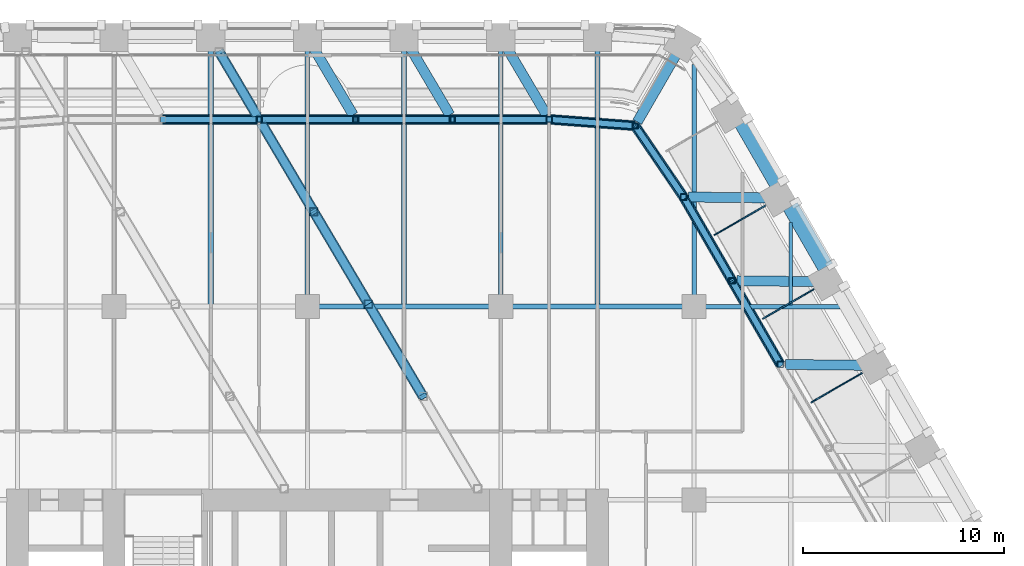
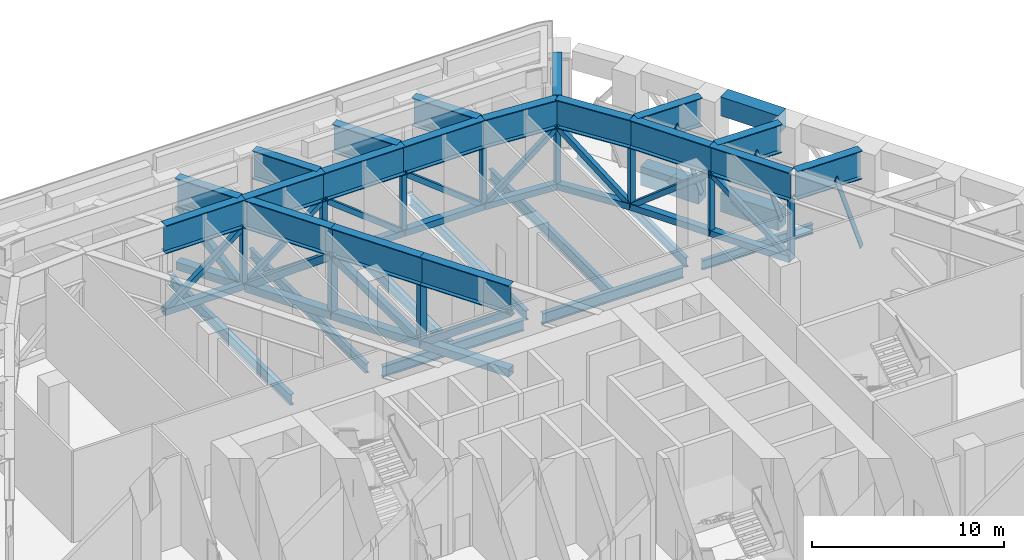
# One storey, part 10 of 35: 37 members, 32 beams, 1 element without a shape of its own.
"""IFC4 building model written with IfcOpenShell, lengths in metres."""

from ifc_helpers import new_model, si_unit, direction, frame, origin, origin_2d, place, context, subcontext, project, spatial, rectangle, hollow_rectangle, i_section, extrude, material, material_profile, profile_set, type_object, element, aggregate, save


model = new_model("IFC4")

# Units and contexts
model_context = context("Model", 3, precision=1e-05, world=origin(), true_north=direction((0.0, 1.0)))
body_context = subcontext(model_context, "Body", "Model", "MODEL_VIEW")
ifc_project = project(units=[si_unit("LENGTHUNIT", "METRE"), si_unit("AREAUNIT", "SQUARE_METRE"), si_unit("VOLUMEUNIT", "CUBIC_METRE"), si_unit("PLANEANGLEUNIT", "RADIAN"), si_unit("MASSUNIT", "GRAM", prefix="KILO")], contexts=[model_context])

# Site, building, storey
site_placement = place(None, origin())
site = spatial("IfcSite", under=ifc_project, at=site_placement, CompositionType="ELEMENT")
building_placement = place(site_placement, origin())
building = spatial("IfcBuilding", under=site, at=building_placement, Name="Kolab Exchange Tower", CompositionType="ELEMENT")
storey_placement = place(building_placement, frame((0.0, 0.0, 71.89990234375)))
storey = spatial("IfcBuildingStorey", under=building, at=storey_placement, Name="L13", CompositionType="ELEMENT", Elevation=71.89990234375)

# Members
ifc_material_1 = material(Name="Steel S355", Category="steel")
ifc_material_profile_1 = material_profile(ifc_material_1, hollow_rectangle(XDim=0.300048828125, YDim=0.300048828125, WallThickness=0.01611328125, at=origin_2d()), Name="HSS300X300X16")
ifc_profile_set_1 = profile_set([ifc_material_profile_1], Name="Steel S355")
member_type_1 = type_object("IfcMemberType", Name="BELT TRUSS BRACE HSS300X300X16", PredefinedType="BRACE", material=ifc_profile_set_1)
member_1_placement = place(storey_placement, frame((-7.199951171875, 28.49853515625, 0.25), z_axis=(0.788027411976, 0.0, 0.615640152991), x_axis=(0.0, 1.0, 0.0)))
element("IfcMember", 1, at=member_1_placement, inside=storey, type_object=member_type_1, Name="mem/L13/ring/d-F1-03", PredefinedType="BRACE", context=body_context, shape_type="SweptSolid", body=[
    extrude(hollow_rectangle(XDim=0.300048828125, YDim=0.300048828125, WallThickness=0.01611328125, at=origin_2d()), origin(), (0.0, 0.0, 1.0), 6.09130859375),
])
member_2_placement = place(storey_placement, frame((-2.39990234375, 28.49853515625, 0.25), z_axis=(0.788012220143, 0.0, 0.61565959824), x_axis=(0.0, 1.0, 0.0)))
element("IfcMember", 2, at=member_2_placement, inside=storey, type_object=member_type_1, Name="mem/L13/ring/d-F1-04", PredefinedType="BRACE", context=body_context, shape_type="SweptSolid", body=[
    extrude(hollow_rectangle(XDim=0.300048828125, YDim=0.300048828125, WallThickness=0.01611328125, at=origin_2d()), origin(), (0.0, 0.0, 1.0), 6.091064453125),
])
for number, where, z_axis, x_axis, name in (
    (3, (2.39990234375, 28.49853515625, 4.0), (0.788027411976, 0.0, -0.615640152991), (0.0, 1.0, 0.0), "mem/L13/ring/d-F1-05"),
    (4, (7.199951171875, 28.49853515625, 4.0), (0.788027411976, 0.0, -0.615640152991), (0.0, 1.0, 0.0), "mem/L13/ring/d-F1-06"),
):
    element("IfcMember", number, at=place(storey_placement, frame(where, z_axis=z_axis, x_axis=x_axis)), inside=storey, type_object=member_type_1, Name=name, PredefinedType="BRACE", context=body_context, shape_type="SweptSolid", body=[
        extrude(hollow_rectangle(XDim=0.300048828125, YDim=0.300048828125, WallThickness=0.01611328125, at=origin_2d()), origin(), (0.0, 0.0, 1.0), 6.09130859375),
    ])
for number, where, z_axis, x_axis, name in (
    (5, (12.0, 28.49853515625, 0.25), (0.750009259501, -0.056504902166, 0.659009337334), (0.075126035074, 0.99717404642, 0.0), "mem/L13/ring/d-F1-07"),
    (6, (16.267822265625, 28.177001953125, 4.0), (0.423966788791, -0.621277379932, -0.658989058473), (0.825999194724, 0.563671296338, 0.0), "mem/L13/ring/d-F2-01"),
):
    element("IfcMember", number, at=place(storey_placement, frame(where, z_axis=z_axis, x_axis=x_axis)), inside=storey, type_object=member_type_1, Name=name, PredefinedType="BRACE", context=body_context, shape_type="SweptSolid", body=[
        extrude(hollow_rectangle(XDim=0.300048828125, YDim=0.300048828125, WallThickness=0.01611328125, at=origin_2d()), origin(), (0.0, 0.0, 1.0), 5.6904296875),
    ])
member_3_placement = place(storey_placement, frame((18.680419921875, 24.6416015625, 0.25), z_axis=(0.393995973328, -0.682458742407, 0.615643758934), x_axis=(0.866037363387, 0.499979284789, 0.0)))
element("IfcMember", 7, at=member_3_placement, inside=storey, type_object=member_type_1, Name="mem/L13/ring/d-F2-02", PredefinedType="BRACE", context=body_context, shape_type="SweptSolid", body=[
    extrude(hollow_rectangle(XDim=0.300048828125, YDim=0.300048828125, WallThickness=0.01611328125, at=origin_2d()), origin(), (0.0, 0.0, 1.0), 6.091064453125),
])
member_4_placement = place(storey_placement, frame((21.080322265625, 20.484619140625, 4.0), z_axis=(0.394029831617, -0.682447964901, -0.615634036582), x_axis=(0.866015339567, 0.500017431331, 0.0)))
element("IfcMember", 8, at=member_4_placement, inside=storey, type_object=member_type_1, Name="mem/L13/ring/d-F2-03", PredefinedType="BRACE", context=body_context, shape_type="SweptSolid", body=[
    extrude(hollow_rectangle(XDim=0.300048828125, YDim=0.300048828125, WallThickness=0.01611328125, at=origin_2d()), origin(), (0.0, 0.0, 1.0), 6.09130859375),
])
ifc_material_profile_2 = material_profile(ifc_material_1, hollow_rectangle(XDim=0.39990234375, YDim=0.39990234375, WallThickness=0.02001953125, at=origin_2d()), Name="HSS400X400X20")
ifc_profile_set_2 = profile_set([ifc_material_profile_2], Name="Steel S355")
member_type_2 = type_object("IfcMemberType", Name="BELT TRUSS CHORD HSS400X400X20", PredefinedType="CHORD", material=ifc_profile_set_2)
member_5_placement = place(storey_placement, frame((-7.199951171875, 28.49853515625, 0.25), z_axis=(1.0, 0.0, 0.0), x_axis=(0.0, 1.0, 0.0)))
element("IfcMember", 9, at=member_5_placement, inside=storey, type_object=member_type_2, Name="mem/L13/ring/c-F1-03", PredefinedType="CHORD", context=body_context, shape_type="SweptSolid", body=[
    extrude(hollow_rectangle(XDim=0.39990234375, YDim=0.39990234375, WallThickness=0.02001953125, at=origin_2d()), origin(), (0.0, 0.0, 1.0), 4.800048828125),
])
member_6_placement = place(storey_placement, frame((-2.39990234375, 28.49853515625, 0.25), z_axis=(1.0, 0.0, 0.0), x_axis=(0.0, 1.0, 0.0)))
element("IfcMember", 10, at=member_6_placement, inside=storey, type_object=member_type_2, Name="mem/L13/ring/c-F1-04", PredefinedType="CHORD", context=body_context, shape_type="SweptSolid", body=[
    extrude(hollow_rectangle(XDim=0.39990234375, YDim=0.39990234375, WallThickness=0.02001953125, at=origin_2d()), origin(), (0.0, 0.0, 1.0), 4.7998046875),
])
for number, where, z_axis, x_axis, name in (
    (11, (2.39990234375, 28.49853515625, 0.25), (1.0, 0.0, 0.0), (0.0, 1.0, 0.0), "mem/L13/ring/c-F1-05"),
    (12, (7.199951171875, 28.49853515625, 0.25), (1.0, 0.0, 0.0), (0.0, 1.0, 0.0), "mem/L13/ring/c-F1-06"),
):
    element("IfcMember", number, at=place(storey_placement, frame(where, z_axis=z_axis, x_axis=x_axis)), inside=storey, type_object=member_type_2, Name=name, PredefinedType="CHORD", context=body_context, shape_type="SweptSolid", body=[
        extrude(hollow_rectangle(XDim=0.39990234375, YDim=0.39990234375, WallThickness=0.02001953125, at=origin_2d()), origin(), (0.0, 0.0, 1.0), 4.800048828125),
    ])
for number, where, z_axis, x_axis, name in (
    (13, (12.0, 28.49853515625, 0.25), (0.99717404642, -0.075126035074, 0.0), (0.075126035074, 0.99717404642, 0.0), "mem/L13/ring/c-F1-07"),
    (14, (16.267822265625, 28.177001953125, 0.25), (0.563671296338, -0.825999194724, 0.0), (0.825999194724, 0.563671296338, 0.0), "mem/L13/ring/c-F2-01"),
):
    element("IfcMember", number, at=place(storey_placement, frame(where, z_axis=z_axis, x_axis=x_axis)), inside=storey, type_object=member_type_2, Name=name, PredefinedType="CHORD", context=body_context, shape_type="SweptSolid", body=[
        extrude(hollow_rectangle(XDim=0.39990234375, YDim=0.39990234375, WallThickness=0.02001953125, at=origin_2d()), origin(), (0.0, 0.0, 1.0), 4.280029296875),
    ])
for number, where, z_axis, x_axis, name in (
    (15, (18.680419921875, 24.6416015625, 0.25), (0.499979284789, -0.866037363387, 0.0), (0.866037363387, 0.499979284789, 0.0), "mem/L13/ring/c-F2-02"),
    (16, (21.080322265625, 20.484619140625, 0.25), (0.500017431331, -0.866015339567, 0.0), (0.866015339567, 0.500017431331, 0.0), "mem/L13/ring/c-F2-03"),
):
    element("IfcMember", number, at=place(storey_placement, frame(where, z_axis=z_axis, x_axis=x_axis)), inside=storey, type_object=member_type_2, Name=name, PredefinedType="CHORD", context=body_context, shape_type="SweptSolid", body=[
        extrude(hollow_rectangle(XDim=0.39990234375, YDim=0.39990234375, WallThickness=0.02001953125, at=origin_2d()), origin(), (0.0, 0.0, 1.0), 4.800048828125),
    ])

# Beams
ifc_material_profile_3 = material_profile(ifc_material_1, i_section(OverallWidth=0.5, OverallDepth=1.800048828125, WebThickness=0.031982421875, FlangeThickness=0.050048828125, at=origin_2d()), Name="PG1800X500")
ifc_profile_set_3 = profile_set([ifc_material_profile_3], Name="Steel S355")
beam_type_1 = type_object("IfcBeamType", Name="BELT TRUSS GIRDER PG1800X500", PredefinedType="BEAM", material=ifc_profile_set_3)
beam_1_placement = place(storey_placement, frame((-7.199951171875, 28.49853515625, 4.900146484375), z_axis=(1.0, 0.0, 0.0), x_axis=(0.0, 1.0, 0.0)))
element("IfcBeam", 17, at=beam_1_placement, inside=storey, type_object=beam_type_1, Name="beam/L13/bg/F1-run1", PredefinedType="BEAM", context=body_context, shape_type="SweptSolid", body=[
    extrude(i_section(OverallWidth=0.5, OverallDepth=1.800048828125, WebThickness=0.031982421875, FlangeThickness=0.050048828125, at=origin_2d()), origin(), (0.0, 0.0, 1.0), 4.800048828125),
])
beam_2_placement = place(storey_placement, frame((-2.39990234375, 28.49853515625, 4.900146484375), z_axis=(1.0, 0.0, 0.0), x_axis=(0.0, 1.0, 0.0)))
element("IfcBeam", 18, at=beam_2_placement, inside=storey, type_object=beam_type_1, Name="beam/L13/bg/F1-run2", PredefinedType="BEAM", context=body_context, shape_type="SweptSolid", body=[
    extrude(i_section(OverallWidth=0.5, OverallDepth=1.800048828125, WebThickness=0.031982421875, FlangeThickness=0.050048828125, at=origin_2d()), origin(), (0.0, 0.0, 1.0), 4.7998046875),
])
for number, where, z_axis, x_axis, name in (
    (19, (2.39990234375, 28.49853515625, 4.900146484375), (1.0, 0.0, 0.0), (0.0, 1.0, 0.0), "beam/L13/bg/F1-run3"),
    (20, (7.199951171875, 28.49853515625, 4.900146484375), (1.0, 0.0, 0.0), (0.0, 1.0, 0.0), "beam/L13/bg/F1-run4"),
):
    element("IfcBeam", number, at=place(storey_placement, frame(where, z_axis=z_axis, x_axis=x_axis)), inside=storey, type_object=beam_type_1, Name=name, PredefinedType="BEAM", context=body_context, shape_type="SweptSolid", body=[
        extrude(i_section(OverallWidth=0.5, OverallDepth=1.800048828125, WebThickness=0.031982421875, FlangeThickness=0.050048828125, at=origin_2d()), origin(), (0.0, 0.0, 1.0), 4.800048828125),
    ])
for number, where, z_axis, x_axis, name in (
    (21, (12.0, 28.49853515625, 4.900146484375), (0.99717404642, -0.075126035074, 0.0), (0.075126035074, 0.99717404642, 0.0), "beam/L13/bg/F1-out"),
    (22, (16.267822265625, 28.177001953125, 4.900146484375), (0.563671296338, -0.825999194724, 0.0), (0.825999194724, 0.563671296338, 0.0), "beam/L13/bg/F2-in"),
):
    element("IfcBeam", number, at=place(storey_placement, frame(where, z_axis=z_axis, x_axis=x_axis)), inside=storey, type_object=beam_type_1, Name=name, PredefinedType="BEAM", context=body_context, shape_type="SweptSolid", body=[
        extrude(i_section(OverallWidth=0.5, OverallDepth=1.800048828125, WebThickness=0.031982421875, FlangeThickness=0.050048828125, at=origin_2d()), origin(), (0.0, 0.0, 1.0), 4.280029296875),
    ])
for number, where, z_axis, x_axis, name in (
    (23, (18.680419921875, 24.6416015625, 4.900146484375), (0.499979284789, -0.866037363387, 0.0), (0.866037363387, 0.499979284789, 0.0), "beam/L13/bg/F2-run0"),
    (24, (21.080322265625, 20.484619140625, 4.900146484375), (0.500017431331, -0.866015339567, 0.0), (0.866015339567, 0.500017431331, 0.0), "beam/L13/bg/F2-run1"),
):
    element("IfcBeam", number, at=place(storey_placement, frame(where, z_axis=z_axis, x_axis=x_axis)), inside=storey, type_object=beam_type_1, Name=name, PredefinedType="BEAM", context=body_context, shape_type="SweptSolid", body=[
        extrude(i_section(OverallWidth=0.5, OverallDepth=1.800048828125, WebThickness=0.031982421875, FlangeThickness=0.050048828125, at=origin_2d()), origin(), (0.0, 0.0, 1.0), 4.800048828125),
    ])

# Members
ifc_material_profile_4 = material_profile(ifc_material_1, hollow_rectangle(XDim=0.300048828125, YDim=0.300048828125, WallThickness=0.01611328125, at=origin_2d()), Name="HSS300X300X16")
ifc_profile_set_4 = profile_set([ifc_material_profile_4], Name="Steel S355")
member_type_3 = type_object("IfcMemberType", Name="BELT TRUSS POST HSS300X300X16", PredefinedType="POST", material=ifc_profile_set_4)
for number, where, z_axis, x_axis, name in (
    (25, (-2.39990234375, 28.49853515625, 0.25), (0.0, 0.0, 1.0), (1.0, 0.0, 0.0), "mem/L13/ring/p-F1-04"),
    (26, (2.39990234375, 28.49853515625, 0.25), (0.0, 0.0, 1.0), (1.0, 0.0, 0.0), "mem/L13/ring/p-F1-05"),
    (27, (7.199951171875, 28.49853515625, 0.25), (0.0, 0.0, 1.0), (1.0, 0.0, 0.0), "mem/L13/ring/p-F1-06"),
    (28, (12.0, 28.49853515625, 0.25), (0.0, 0.0, 1.0), (1.0, 0.0, 0.0), "mem/L13/ring/p-F1-07"),
    (29, (16.267822265625, 28.177001953125, 0.25), (0.0, 0.0, 1.0), (1.0, 0.0, 0.0), "mem/L13/ring/p-F2-01"),
    (30, (18.680419921875, 24.6416015625, 0.25), (0.0, 0.0, 1.0), (1.0, 0.0, 0.0), "mem/L13/ring/p-F2-02"),
    (31, (21.080322265625, 20.484619140625, 0.25), (0.0, 0.0, 1.0), (1.0, 0.0, 0.0), "mem/L13/ring/p-F2-03"),
    (32, (23.48046875, 16.32763671875, 0.25), (0.0, 0.0, 1.0), (1.0, 0.0, 0.0), "mem/L13/ring/p-F2-04"),
):
    element("IfcMember", number, at=place(storey_placement, frame(where, z_axis=z_axis, x_axis=x_axis)), inside=storey, type_object=member_type_3, Name=name, PredefinedType="POST", context=body_context, shape_type="SweptSolid", body=[
        extrude(hollow_rectangle(XDim=0.300048828125, YDim=0.300048828125, WallThickness=0.01611328125, at=origin_2d()), origin(), (0.0, 0.0, 1.0), 3.75),
    ])

# Curtain wall, members
ifc_material_2 = material(Name="Aluminium EN AW-6063 T6", Category="aluminium")
curtain_wall_type = type_object("IfcCurtainWallType", Name="CANTED BAND CURTAIN WALL", PredefinedType="NOTDEFINED", material=ifc_material_2)
curtain_wall_placement = place(storey_placement, origin())
curtain_wall = element("IfcCurtainWall", 33, at=curtain_wall_placement, inside=storey, type_object=curtain_wall_type, Name="band/L13/F2", PredefinedType="NOTDEFINED")
ifc_material_profile_5 = material_profile(ifc_material_2, rectangle(XDim=0.06005859375, YDim=0.300048828125, at=origin_2d()), Name="RECT 60X300")
ifc_profile_set_5 = profile_set([ifc_material_profile_5], Name="Aluminium EN AW-6063 T6")
member_type_4 = type_object("IfcMemberType", Name="CANTED BAND MULLION 60 X 300", PredefinedType="MULLION", material=ifc_profile_set_5)
member_7_placement = place(storey_placement, frame((22.631591796875, 24.151611328125, -0.099853515625), z_axis=(-0.355798391977, -0.2054599877, 0.911698249269), x_axis=(0.500072450434, -0.865983570466, 0.0)))
member_7 = element("IfcMember", 34, at=member_7_placement, type_object=member_type_4, Name="Band mullion", PredefinedType="MULLION", context=body_context, shape_type="SweptSolid", body=[
    extrude(rectangle(XDim=0.06005859375, YDim=0.300048828125, at=origin_2d()), origin(), (0.0, 0.0, 1.0), 6.51513671875),
])
member_8_placement = place(storey_placement, frame((25.03173828125, 19.99462890625, -0.099853515625), z_axis=(-0.355833859075, -0.205421357987, 0.911693111973), x_axis=(0.499964557259, -0.866045865693, 0.0)))
member_8 = element("IfcMember", 35, at=member_8_placement, type_object=member_type_4, Name="Band mullion", PredefinedType="MULLION", context=body_context, shape_type="SweptSolid", body=[
    extrude(rectangle(XDim=0.06005859375, YDim=0.300048828125, at=origin_2d()), origin(), (0.0, 0.0, 1.0), 6.515380859375),
])
member_9_placement = place(storey_placement, frame((27.431640625, 15.837646484375, -0.099853515625), z_axis=(-0.355833859075, -0.205421357987, 0.911693111973), x_axis=(0.499964557259, -0.866045865693, 0.0)))
member_9 = element("IfcMember", 36, at=member_9_placement, type_object=member_type_4, Name="Band mullion", PredefinedType="MULLION", context=body_context, shape_type="SweptSolid", body=[
    extrude(rectangle(XDim=0.06005859375, YDim=0.300048828125, at=origin_2d()), origin(), (0.0, 0.0, 1.0), 6.515380859375),
])
aggregate(curtain_wall, [member_7, member_8, member_9])

# Beams
ifc_material_profile_6 = material_profile(ifc_material_1, i_section(OverallWidth=0.1650390625, OverallDepth=0.31005859375, WebThickness=0.005859375, FlangeThickness=0.009765625, at=origin_2d()), Name="W310X39")
ifc_profile_set_6 = profile_set([ifc_material_profile_6], Name="Steel S355")
beam_type_2 = type_object("IfcBeamType", Name="FLOOR BEAM W310X39", PredefinedType="BEAM", material=ifc_profile_set_6)
beam_3_placement = place(storey_placement, frame((24.0, 19.27392578125, -0.454833984375), z_axis=(0.0, 1.0, 0.0), x_axis=(-1.0, 0.0, 0.0)))
element("IfcBeam", 37, at=beam_3_placement, inside=storey, type_object=beam_type_2, Name="beam/L13/fr/057", PredefinedType="BEAM", context=body_context, shape_type="SweptSolid", body=[
    extrude(i_section(OverallWidth=0.1650390625, OverallDepth=0.31005859375, WebThickness=0.005859375, FlangeThickness=0.009765625, at=origin_2d()), origin(), (0.0, 0.0, 1.0), 4.107666015625),
])
ifc_material_profile_7 = material_profile(ifc_material_1, i_section(OverallWidth=0.22802734375, OverallDepth=0.60791015625, WebThickness=0.01123046875, FlangeThickness=0.017333984375, at=origin_2d()), Name="W610X113")
ifc_profile_set_7 = profile_set([ifc_material_profile_7], Name="Steel S355")
beam_type_3 = type_object("IfcBeamType", Name="FLOOR BEAM W610X113", PredefinedType="BEAM", material=ifc_profile_set_7)
for number, where, z_axis, x_axis, name in (
    (38, (0.0, 19.760009765625, -0.60400390625), (0.0, 1.0, 0.0), (-1.0, 0.0, 0.0), "beam/L13/fr/033"),
    (39, (9.60009765625, 19.760009765625, -0.60400390625), (0.0, 1.0, 0.0), (-1.0, 0.0, 0.0), "beam/L13/fr/041"),
):
    element("IfcBeam", number, at=place(storey_placement, frame(where, z_axis=z_axis, x_axis=x_axis)), inside=storey, type_object=beam_type_3, Name=name, PredefinedType="BEAM", context=body_context, shape_type="SweptSolid", body=[
        extrude(i_section(OverallWidth=0.22802734375, OverallDepth=0.60791015625, WebThickness=0.01123046875, FlangeThickness=0.017333984375, at=origin_2d()), origin(), (0.0, 0.0, 1.0), 12.135498046875),
    ])
beam_4_placement = place(storey_placement, frame((19.199951171875, 19.760009765625, -0.60400390625), z_axis=(0.0, 1.0, 0.0), x_axis=(-1.0, 0.0, 0.0)))
element("IfcBeam", 40, at=beam_4_placement, inside=storey, type_object=beam_type_3, Name="beam/L13/fr/051", PredefinedType="BEAM", context=body_context, shape_type="SweptSolid", body=[
    extrude(i_section(OverallWidth=0.22802734375, OverallDepth=0.60791015625, WebThickness=0.01123046875, FlangeThickness=0.017333984375, at=origin_2d()), origin(), (0.0, 0.0, 1.0), 11.45458984375),
])
ifc_material_profile_8 = material_profile(ifc_material_1, i_section(OverallWidth=0.25390625, OverallDepth=0.68408203125, WebThickness=0.012451171875, FlangeThickness=0.018798828125, at=origin_2d()), Name="W690X140")
ifc_profile_set_8 = profile_set([ifc_material_profile_8], Name="Steel S355")
beam_type_4 = type_object("IfcBeamType", Name="FLOOR BEAM W690X140", PredefinedType="BEAM", material=ifc_profile_set_8)
for number, where, z_axis, x_axis, name in (
    (41, (-4.800048828125, 19.287109375, -0.641845703125), (0.0, 1.0, 0.0), (-1.0, 0.0, 0.0), "beam/L13/fr/029"),
    (42, (4.800048828125, 19.287109375, -0.641845703125), (0.0, 1.0, 0.0), (-1.0, 0.0, 0.0), "beam/L13/fr/037"),
    (43, (14.39990234375, 19.287109375, -0.641845703125), (0.0, 1.0, 0.0), (-1.0, 0.0, 0.0), "beam/L13/fr/045"),
):
    element("IfcBeam", number, at=place(storey_placement, frame(where, z_axis=z_axis, x_axis=x_axis)), inside=storey, type_object=beam_type_4, Name=name, PredefinedType="BEAM", context=body_context, shape_type="SweptSolid", body=[
        extrude(i_section(OverallWidth=0.25390625, OverallDepth=0.68408203125, WebThickness=0.012451171875, FlangeThickness=0.018798828125, at=origin_2d()), origin(), (0.0, 0.0, 1.0), 12.6083984375),
    ])
ifc_material_profile_9 = material_profile(ifc_material_1, i_section(OverallWidth=0.22802734375, OverallDepth=0.60791015625, WebThickness=0.01123046875, FlangeThickness=0.017333984375, at=origin_2d()), Name="W610X113")
ifc_profile_set_9 = profile_set([ifc_material_profile_9], Name="Steel S355")
beam_type_5 = type_object("IfcBeamType", Name="FLOOR GIRDER W610X113", PredefinedType="BEAM", material=ifc_profile_set_9)
beam_5_placement = place(storey_placement, frame((19.760009765625, 19.199951171875, -0.60400390625), z_axis=(1.0, 0.0, 0.0), x_axis=(0.0, 1.0, 0.0)))
element("IfcBeam", 44, at=beam_5_placement, inside=storey, type_object=beam_type_5, Name="beam/L13/gd/023", PredefinedType="BEAM", context=body_context, shape_type="SweptSolid", body=[
    extrude(i_section(OverallWidth=0.22802734375, OverallDepth=0.60791015625, WebThickness=0.01123046875, FlangeThickness=0.017333984375, at=origin_2d()), origin(), (0.0, 0.0, 1.0), 6.671142578125),
])
ifc_material_profile_10 = material_profile(ifc_material_1, i_section(OverallWidth=0.25390625, OverallDepth=0.68408203125, WebThickness=0.012451171875, FlangeThickness=0.018798828125, at=origin_2d()), Name="W690X140")
ifc_profile_set_10 = profile_set([ifc_material_profile_10], Name="Steel S355")
beam_type_6 = type_object("IfcBeamType", Name="FLOOR GIRDER W690X140", PredefinedType="BEAM", material=ifc_profile_set_10)
for number, where, z_axis, x_axis, name in (
    (45, (0.56005859375, 19.199951171875, -0.641845703125), (1.0, 0.0, 0.0), (0.0, 1.0, 0.0), "beam/L13/gd/014"),
    (46, (10.159912109375, 19.199951171875, -0.641845703125), (1.0, 0.0, 0.0), (0.0, 1.0, 0.0), "beam/L13/gd/016"),
):
    element("IfcBeam", number, at=place(storey_placement, frame(where, z_axis=z_axis, x_axis=x_axis)), inside=storey, type_object=beam_type_6, Name=name, PredefinedType="BEAM", context=body_context, shape_type="SweptSolid", body=[
        extrude(i_section(OverallWidth=0.25390625, OverallDepth=0.68408203125, WebThickness=0.012451171875, FlangeThickness=0.018798828125, at=origin_2d()), origin(), (0.0, 0.0, 1.0), 8.47998046875),
    ])

# Members
ifc_material_profile_11 = material_profile(ifc_material_1, hollow_rectangle(XDim=0.39990234375, YDim=0.39990234375, WallThickness=0.02001953125, at=origin_2d()), Name="HSS400X400X20")
ifc_profile_set_11 = profile_set([ifc_material_profile_11], Name="Steel S355")
member_type_5 = type_object("IfcMemberType", Name="OUTRIGGER BRACE HSS400X400X20", PredefinedType="BRACE", material=ifc_profile_set_11)
for number, where, z_axis, x_axis, name in (
    (47, (5.740966796875, 14.737060546875, 4.0), (-0.416406242938, 0.703900755606, -0.575438586732), (-0.860677465118, -0.50915056814, 0.0), "mem/L13/out/01/d01"),
    (48, (3.02734375, 19.32421875, 0.25), (-0.416406242938, 0.703900755606, 0.575438586732), (-0.860677465118, -0.50915056814, 0.0), "mem/L13/out/01/d02"),
):
    element("IfcMember", number, at=place(storey_placement, frame(where, z_axis=z_axis, x_axis=x_axis)), inside=storey, type_object=member_type_5, Name=name, PredefinedType="BRACE", context=body_context, shape_type="SweptSolid", body=[
        extrude(hollow_rectangle(XDim=0.39990234375, YDim=0.39990234375, WallThickness=0.02001953125, at=origin_2d()), origin(), (0.0, 0.0, 1.0), 6.516845703125),
    ])
member_10_placement = place(storey_placement, frame((0.313720703125, 23.911376953125, 4.0), z_axis=(-0.410789672737, 0.694318412958, -0.590909287624), x_axis=(-0.860649189626, -0.509198362523, 0.0)))
element("IfcMember", 49, at=member_10_placement, inside=storey, type_object=member_type_5, Name="mem/L13/out/01/d03", PredefinedType="BRACE", context=body_context, shape_type="SweptSolid", body=[
    extrude(hollow_rectangle(XDim=0.39990234375, YDim=0.39990234375, WallThickness=0.02001953125, at=origin_2d()), origin(), (0.0, 0.0, 1.0), 6.34619140625),
])
member_11_placement = place(storey_placement, frame((-2.5068359375, 28.67919921875, 0.25), z_axis=(-0.357157449723, 0.603692142509, 0.712737225898), x_axis=(-0.860657741654, -0.509183907572, 0.0)))
element("IfcMember", 50, at=member_11_placement, inside=storey, type_object=member_type_5, Name="mem/L13/out/01/d04", PredefinedType="BRACE", context=body_context, shape_type="SweptSolid", body=[
    extrude(hollow_rectangle(XDim=0.39990234375, YDim=0.39990234375, WallThickness=0.02001953125, at=origin_2d()), origin(), (0.0, 0.0, 1.0), 5.261474609375),
])
ifc_material_profile_12 = material_profile(ifc_material_1, hollow_rectangle(XDim=0.5, YDim=0.5, WallThickness=0.02490234375, at=origin_2d()), Name="HSS500X500X25")
ifc_profile_set_12 = profile_set([ifc_material_profile_12], Name="Steel S355")
member_type_6 = type_object("IfcMemberType", Name="OUTRIGGER CHORD HSS500X500X25", PredefinedType="CHORD", material=ifc_profile_set_12)
for number, where, z_axis, x_axis, name in (
    (51, (5.740966796875, 14.737060546875, 0.25), (-0.50915056814, 0.860677465118, 0.0), (-0.860677465118, -0.50915056814, 0.0), "mem/L13/out/01/c01"),
    (52, (3.02734375, 19.32421875, 0.25), (-0.50915056814, 0.860677465118, 0.0), (-0.860677465118, -0.50915056814, 0.0), "mem/L13/out/01/c02"),
):
    element("IfcMember", number, at=place(storey_placement, frame(where, z_axis=z_axis, x_axis=x_axis)), inside=storey, type_object=member_type_6, Name=name, PredefinedType="CHORD", context=body_context, shape_type="SweptSolid", body=[
        extrude(hollow_rectangle(XDim=0.5, YDim=0.5, WallThickness=0.02490234375, at=origin_2d()), origin(), (0.0, 0.0, 1.0), 5.32958984375),
    ])
member_12_placement = place(storey_placement, frame((0.313720703125, 23.911376953125, 0.25), z_axis=(-0.509198362523, 0.860649189626, 0.0), x_axis=(-0.860649189626, -0.509198362523, 0.0)))
element("IfcMember", 53, at=member_12_placement, inside=storey, type_object=member_type_6, Name="mem/L13/out/01/c03", PredefinedType="CHORD", context=body_context, shape_type="SweptSolid", body=[
    extrude(hollow_rectangle(XDim=0.5, YDim=0.5, WallThickness=0.02490234375, at=origin_2d()), origin(), (0.0, 0.0, 1.0), 5.11962890625),
])
member_13_placement = place(storey_placement, frame((-2.5068359375, 28.67919921875, 0.25), z_axis=(-0.509183907572, 0.860657741654, 0.0), x_axis=(-0.860657741654, -0.509183907572, 0.0)))
element("IfcMember", 54, at=member_13_placement, inside=storey, type_object=member_type_6, Name="mem/L13/out/01/c04", PredefinedType="CHORD", context=body_context, shape_type="SweptSolid", body=[
    extrude(hollow_rectangle(XDim=0.5, YDim=0.5, WallThickness=0.02490234375, at=origin_2d()), origin(), (0.0, 0.0, 1.0), 3.6904296875),
])

# Beams
ifc_material_profile_13 = material_profile(ifc_material_1, i_section(OverallWidth=0.5, OverallDepth=1.800048828125, WebThickness=0.031982421875, FlangeThickness=0.050048828125, at=origin_2d()), Name="PG1800X500")
ifc_profile_set_13 = profile_set([ifc_material_profile_13], Name="Steel S355")
beam_type_7 = type_object("IfcBeamType", Name="OUTRIGGER GIRDER PG1800X500", PredefinedType="BEAM", material=ifc_profile_set_13)
for number, where, z_axis, x_axis, name in (
    (55, (5.740966796875, 14.737060546875, 4.900146484375), (-0.50915056814, 0.860677465118, 0.0), (-0.860677465118, -0.50915056814, 0.0), "beam/L13/og/01-01"),
    (56, (3.02734375, 19.32421875, 4.900146484375), (-0.50915056814, 0.860677465118, 0.0), (-0.860677465118, -0.50915056814, 0.0), "beam/L13/og/01-02"),
):
    element("IfcBeam", number, at=place(storey_placement, frame(where, z_axis=z_axis, x_axis=x_axis)), inside=storey, type_object=beam_type_7, Name=name, PredefinedType="BEAM", context=body_context, shape_type="SweptSolid", body=[
        extrude(i_section(OverallWidth=0.5, OverallDepth=1.800048828125, WebThickness=0.031982421875, FlangeThickness=0.050048828125, at=origin_2d()), origin(), (0.0, 0.0, 1.0), 5.32958984375),
    ])
beam_6_placement = place(storey_placement, frame((0.313720703125, 23.911376953125, 4.900146484375), z_axis=(-0.509198362523, 0.860649189626, 0.0), x_axis=(-0.860649189626, -0.509198362523, 0.0)))
element("IfcBeam", 57, at=beam_6_placement, inside=storey, type_object=beam_type_7, Name="beam/L13/og/01-03", PredefinedType="BEAM", context=body_context, shape_type="SweptSolid", body=[
    extrude(i_section(OverallWidth=0.5, OverallDepth=1.800048828125, WebThickness=0.031982421875, FlangeThickness=0.050048828125, at=origin_2d()), origin(), (0.0, 0.0, 1.0), 5.11962890625),
])
beam_7_placement = place(storey_placement, frame((-2.5068359375, 28.67919921875, 4.900146484375), z_axis=(-0.509163611041, 0.860669749202, 0.0), x_axis=(-0.860669749202, -0.509163611041, 0.0)))
element("IfcBeam", 58, at=beam_7_placement, inside=storey, type_object=beam_type_7, Name="beam/L13/og/01-04", PredefinedType="BEAM", context=body_context, shape_type="SweptSolid", body=[
    extrude(i_section(OverallWidth=0.5, OverallDepth=1.800048828125, WebThickness=0.031982421875, FlangeThickness=0.050048828125, at=origin_2d()), origin(), (0.0, 0.0, 1.0), 3.73046875),
])

# Members
ifc_material_profile_14 = material_profile(ifc_material_1, hollow_rectangle(XDim=0.39990234375, YDim=0.39990234375, WallThickness=0.02001953125, at=origin_2d()), Name="HSS400X400X20")
ifc_profile_set_14 = profile_set([ifc_material_profile_14], Name="Steel S355")
member_type_7 = type_object("IfcMemberType", Name="OUTRIGGER POST HSS400X400X20", PredefinedType="POST", material=ifc_profile_set_14)
for number, where, z_axis, x_axis, name in (
    (59, (3.02734375, 19.32421875, 0.25), (0.0, 0.0, 1.0), (1.0, 0.0, 0.0), "mem/L13/out/01/p02"),
    (60, (0.313720703125, 23.911376953125, 0.25), (0.0, 0.0, 1.0), (1.0, 0.0, 0.0), "mem/L13/out/01/p03"),
):
    element("IfcMember", number, at=place(storey_placement, frame(where, z_axis=z_axis, x_axis=x_axis)), inside=storey, type_object=member_type_7, Name=name, PredefinedType="POST", context=body_context, shape_type="SweptSolid", body=[
        extrude(hollow_rectangle(XDim=0.39990234375, YDim=0.39990234375, WallThickness=0.02001953125, at=origin_2d()), origin(), (0.0, 0.0, 1.0), 3.75),
    ])

# Beams
ifc_material_3 = material(Name="Concrete C80/95", Category="concrete")
ifc_material_profile_15 = material_profile(ifc_material_3, rectangle(XDim=0.800048828125, YDim=1.199951171875, at=origin_2d()), Name="RC800X1200")
ifc_profile_set_15 = profile_set([ifc_material_profile_15], Name="Concrete C80/95")
beam_type_8 = type_object("IfcBeamType", Name="SPANDREL BEAM 800X1200 C80/95", PredefinedType="BEAM", material=ifc_profile_set_15)
beam_8_placement = place(storey_placement, frame((21.58349609375, 28.326904296875, -0.89990234375), z_axis=(0.499979528911, -0.866037222451, 0.0), x_axis=(0.866037222451, 0.499979528911, 0.0)))
element("IfcBeam", 61, at=beam_8_placement, inside=storey, type_object=beam_type_8, Name="beam/L13/sp/F2-02", PredefinedType="BEAM", context=body_context, shape_type="SweptSolid", body=[
    extrude(rectangle(XDim=0.800048828125, YDim=1.199951171875, at=origin_2d()), origin(), (0.0, 0.0, 1.0), 3.480224609375),
])
for number, where, z_axis, x_axis, name in (
    (62, (23.983642578125, 24.169921875, -0.89990234375), (0.500009906705, -0.86601968407, 0.0), (0.86601968407, 0.500009906705, 0.0), "beam/L13/sp/F2-03"),
    (63, (23.983642578125, 24.169921875, 5.2001953125), (0.500009906705, -0.86601968407, 0.0), (0.86601968407, 0.500009906705, 0.0), "beam/L13/cp/F2-03"),
):
    element("IfcBeam", number, at=place(storey_placement, frame(where, z_axis=z_axis, x_axis=x_axis)), inside=storey, type_object=beam_type_8, Name=name, PredefinedType="BEAM", context=body_context, shape_type="SweptSolid", body=[
        extrude(rectangle(XDim=0.800048828125, YDim=1.199951171875, at=origin_2d()), origin(), (0.0, 0.0, 1.0), 3.47998046875),
    ])
ifc_material_profile_16 = material_profile(ifc_material_1, i_section(OverallWidth=0.5, OverallDepth=1.800048828125, WebThickness=0.031982421875, FlangeThickness=0.050048828125, at=origin_2d()), Name="PG1800X500")
ifc_profile_set_16 = profile_set([ifc_material_profile_16], Name="Steel S355")
beam_type_9 = type_object("IfcBeamType", Name="TRANSFER GIRDER PG1800X500", PredefinedType="BEAM", material=ifc_profile_set_16)
for number, where, z_axis, x_axis, name in (
    (64, (2.272705078125, 28.713623046875, 4.900146484375), (-0.509175144826, 0.860662925826, 0.0), (-0.860662925826, -0.509175144826, 0.0), "beam/L13/tg/F1-05"),
    (65, (7.07275390625, 28.713623046875, 4.900146484375), (-0.509175144826, 0.860662925826, 0.0), (-0.860662925826, -0.509175144826, 0.0), "beam/L13/tg/F1-06"),
    (66, (11.872802734375, 28.713623046875, 4.900146484375), (-0.509175144826, 0.860662925826, 0.0), (-0.860662925826, -0.509175144826, 0.0), "beam/L13/tg/F1-07"),
):
    element("IfcBeam", number, at=place(storey_placement, frame(where, z_axis=z_axis, x_axis=x_axis)), inside=storey, type_object=beam_type_9, Name=name, PredefinedType="BEAM", context=body_context, shape_type="SweptSolid", body=[
        extrude(i_section(OverallWidth=0.5, OverallDepth=1.800048828125, WebThickness=0.031982421875, FlangeThickness=0.050048828125, at=origin_2d()), origin(), (0.0, 0.0, 1.0), 3.873779296875),
    ])
beam_9_placement = place(storey_placement, frame((16.3779296875, 28.367431640625, 4.900146484375), z_axis=(0.500006760876, 0.866021500355, 0.0), x_axis=(-0.866021500355, 0.500006760876, 0.0)))
element("IfcBeam", 67, at=beam_9_placement, inside=storey, type_object=beam_type_9, Name="beam/L13/tg/F2-01", PredefinedType="BEAM", context=body_context, shape_type="SweptSolid", body=[
    extrude(i_section(OverallWidth=0.5, OverallDepth=1.800048828125, WebThickness=0.031982421875, FlangeThickness=0.050048828125, at=origin_2d()), origin(), (0.0, 0.0, 1.0), 3.89013671875),
])
beam_10_placement = place(storey_placement, frame((18.930419921875, 24.638916015625, 4.900146484375), z_axis=(0.999943937573, -0.010588753956, 0.0), x_axis=(0.010588753956, 0.999943937573, 0.0)))
element("IfcBeam", 68, at=beam_10_placement, inside=storey, type_object=beam_type_9, Name="beam/L13/tg/F2-02", PredefinedType="BEAM", context=body_context, shape_type="SweptSolid", body=[
    extrude(i_section(OverallWidth=0.5, OverallDepth=1.800048828125, WebThickness=0.031982421875, FlangeThickness=0.050048828125, at=origin_2d()), origin(), (0.0, 0.0, 1.0), 3.87353515625),
])
beam_11_placement = place(storey_placement, frame((21.330322265625, 20.48193359375, 4.900146484375), z_axis=(0.99994394464, -0.010588086644, 0.0), x_axis=(0.010588086644, 0.99994394464, 0.0)))
element("IfcBeam", 69, at=beam_11_placement, inside=storey, type_object=beam_type_9, Name="beam/L13/tg/F2-03", PredefinedType="BEAM", context=body_context, shape_type="SweptSolid", body=[
    extrude(i_section(OverallWidth=0.5, OverallDepth=1.800048828125, WebThickness=0.031982421875, FlangeThickness=0.050048828125, at=origin_2d()), origin(), (0.0, 0.0, 1.0), 3.873779296875),
])
beam_12_placement = place(storey_placement, frame((23.73046875, 16.324951171875, 4.900146484375), z_axis=(0.999943937573, -0.010588753956, 0.0), x_axis=(0.010588753956, 0.999943937573, 0.0)))
element("IfcBeam", 70, at=beam_12_placement, inside=storey, type_object=beam_type_9, Name="beam/L13/tg/F2-04", PredefinedType="BEAM", context=body_context, shape_type="SweptSolid", body=[
    extrude(i_section(OverallWidth=0.5, OverallDepth=1.800048828125, WebThickness=0.031982421875, FlangeThickness=0.050048828125, at=origin_2d()), origin(), (0.0, 0.0, 1.0), 3.87353515625),
])

save(model, "model.ifc")
